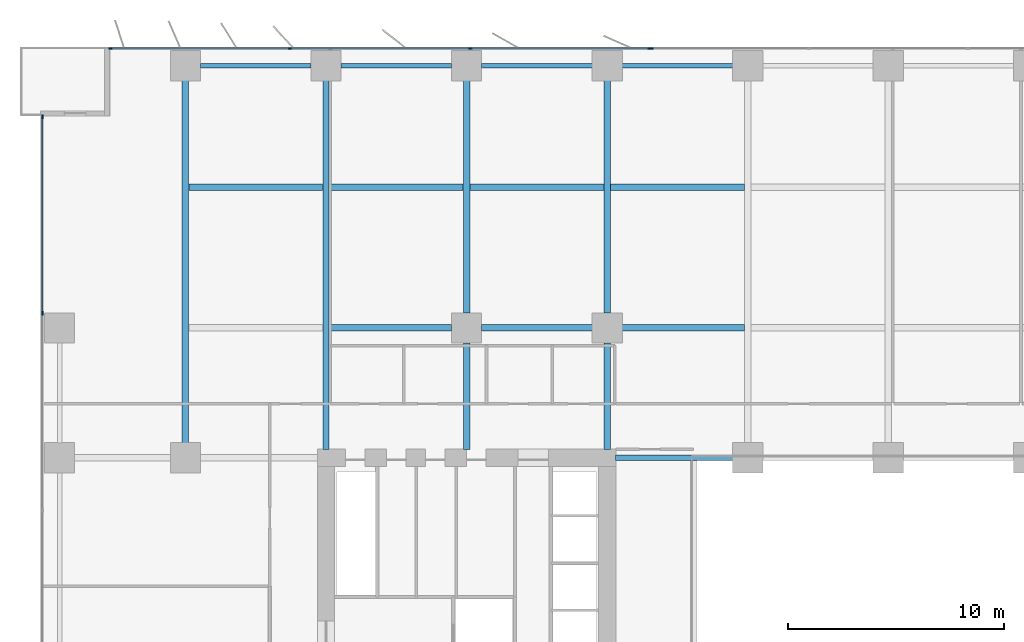
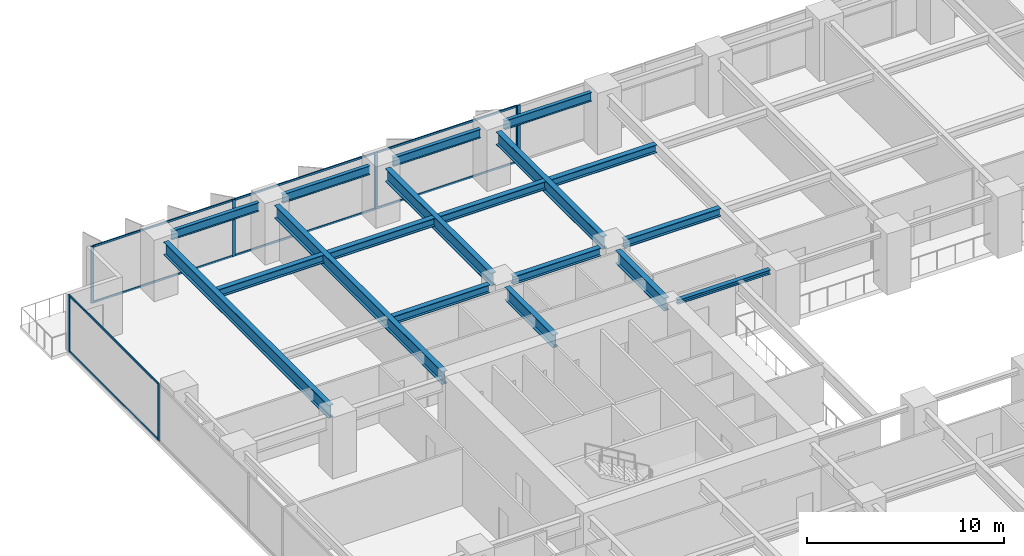
# One storey, part 7 of 20: 18 beams, 15 members, 3 elements without a shape of their own.
"""IFC4 building model written with IfcOpenShell, lengths in metres."""

from ifc_helpers import new_model, si_unit, direction, frame, origin, origin_2d, place, context, subcontext, project, spatial, rectangle, i_section, extrude, material, layer, layer_set, material_profile, profile_set, type_object, element, aggregate, save


model = new_model("IFC4")

# Units and contexts
model_context = context("Model", 3, precision=1e-05, world=origin(), true_north=direction((0.0, 1.0)))
body_context = subcontext(model_context, "Body", "Model", "MODEL_VIEW")
ifc_project = project(units=[si_unit("LENGTHUNIT", "METRE"), si_unit("AREAUNIT", "SQUARE_METRE"), si_unit("VOLUMEUNIT", "CUBIC_METRE"), si_unit("PLANEANGLEUNIT", "RADIAN"), si_unit("MASSUNIT", "GRAM", prefix="KILO")], contexts=[model_context])

# Site, building, storey
site_placement = place(None, origin())
site = spatial("IfcSite", under=ifc_project, at=site_placement, CompositionType="ELEMENT")
building_placement = place(site_placement, origin())
building = spatial("IfcBuilding", under=site, at=building_placement, Name="Putna Gate Headquarters", CompositionType="ELEMENT")
storey_placement = place(building_placement, frame((0.0, 0.0, 77.199951171875)))
storey = spatial("IfcBuildingStorey", under=building, at=storey_placement, Name="L18", CompositionType="ELEMENT", Elevation=77.199951171875)

# Beams
ifc_material_1 = material(Name="Steel S355J2", Category="steel")
ifc_material_profile_1 = material_profile(ifc_material_1, i_section(OverallWidth=0.260009765625, OverallDepth=0.260009765625, WebThickness=0.010009765625, FlangeThickness=0.017578125, at=origin_2d()), Name="Steel S355J2")
ifc_profile_set_1 = profile_set([ifc_material_profile_1], Name="Steel S355J2")
beam_type_1 = type_object("IfcBeamType", Name="BM-ATRIUM-HEB260", PredefinedType="BEAM", material=ifc_profile_set_1)
beam_1_placement = place(storey_placement, frame((26.385009765625, 33.0, 3.39013671875), z_axis=(1.0, 0.0, 0.0), x_axis=(0.0, 1.0, 0.0)))
element("IfcBeam", 1, at=beam_1_placement, inside=storey, type_object=beam_type_1, Name="L18 Atrium Edge Beam AN1", PredefinedType="BEAM", context=body_context, shape_type="SweptSolid", body=[
    extrude(i_section(OverallWidth=0.260009765625, OverallDepth=0.260009765625, WebThickness=0.010009765625, FlangeThickness=0.017578125, at=origin_2d()), origin(), (0.0, 0.0, 1.0), 5.427001953125),
])
ifc_material_profile_2 = material_profile(ifc_material_1, i_section(OverallWidth=0.300048828125, OverallDepth=0.800048828125, WebThickness=0.017578125, FlangeThickness=0.032958984375, at=origin_2d()), Name="Steel S355J2")
ifc_profile_set_2 = profile_set([ifc_material_profile_2], Name="Steel S355J2")
beam_type_2 = type_object("IfcBeamType", Name="BM-GIRD-P-HEB800", PredefinedType="USERDEFINED", material=ifc_profile_set_2)
beam_2_placement = place(storey_placement, frame((6.5, 33.68798828125, 3.1201171875), z_axis=(0.0, 1.0, 0.0), x_axis=(-1.0, 0.0, 0.0)))
element("IfcBeam", 2, at=beam_2_placement, inside=storey, type_object=beam_type_2, Name="L18 North Primary Girder X6", ObjectType="GIRDER", PredefinedType="USERDEFINED", context=body_context, shape_type="SweptSolid", body=[
    extrude(i_section(OverallWidth=0.300048828125, OverallDepth=0.800048828125, WebThickness=0.017578125, FlangeThickness=0.032958984375, at=origin_2d()), origin(), (0.0, 0.0, 1.0), 16.743896484375),
])
beam_3_placement = place(storey_placement, frame((13.0, 33.385009765625, 3.1201171875), z_axis=(0.0, 1.0, 0.0), x_axis=(-1.0, 0.0, 0.0)))
element("IfcBeam", 3, at=beam_3_placement, inside=storey, type_object=beam_type_2, Name="L18 North Primary Girder X13", ObjectType="GIRDER", PredefinedType="USERDEFINED", context=body_context, shape_type="SweptSolid", body=[
    extrude(i_section(OverallWidth=0.300048828125, OverallDepth=0.800048828125, WebThickness=0.017578125, FlangeThickness=0.032958984375, at=origin_2d()), origin(), (0.0, 0.0, 1.0), 17.046875),
])
beam_4_placement = place(storey_placement, frame((19.5, 33.385009765625, 3.1201171875), z_axis=(0.0, 1.0, 0.0), x_axis=(-1.0, 0.0, 0.0)))
element("IfcBeam", 4, at=beam_4_placement, inside=storey, type_object=beam_type_2, Name="L18 North Primary Girder X19-1", ObjectType="GIRDER", PredefinedType="USERDEFINED", context=body_context, shape_type="SweptSolid", body=[
    extrude(i_section(OverallWidth=0.300048828125, OverallDepth=0.800048828125, WebThickness=0.017578125, FlangeThickness=0.032958984375, at=origin_2d()), origin(), (0.0, 0.0, 1.0), 4.927001953125),
])
beam_5_placement = place(storey_placement, frame((19.5, 39.68798828125, 3.1201171875), z_axis=(0.0, 1.0, 0.0), x_axis=(-1.0, 0.0, 0.0)))
element("IfcBeam", 5, at=beam_5_placement, inside=storey, type_object=beam_type_2, Name="L18 North Primary Girder X19-2", ObjectType="GIRDER", PredefinedType="USERDEFINED", context=body_context, shape_type="SweptSolid", body=[
    extrude(i_section(OverallWidth=0.300048828125, OverallDepth=0.800048828125, WebThickness=0.017578125, FlangeThickness=0.032958984375, at=origin_2d()), origin(), (0.0, 0.0, 1.0), 10.743896484375),
])
beam_6_placement = place(storey_placement, frame((26.0, 33.385009765625, 3.1201171875), z_axis=(0.0, 1.0, 0.0), x_axis=(-1.0, 0.0, 0.0)))
element("IfcBeam", 6, at=beam_6_placement, inside=storey, type_object=beam_type_2, Name="L18 North Primary Girder X26-1", ObjectType="GIRDER", PredefinedType="USERDEFINED", context=body_context, shape_type="SweptSolid", body=[
    extrude(i_section(OverallWidth=0.300048828125, OverallDepth=0.800048828125, WebThickness=0.017578125, FlangeThickness=0.032958984375, at=origin_2d()), origin(), (0.0, 0.0, 1.0), 4.927001953125),
])
beam_7_placement = place(storey_placement, frame((26.0, 39.68798828125, 3.1201171875), z_axis=(0.0, 1.0, 0.0), x_axis=(-1.0, 0.0, 0.0)))
element("IfcBeam", 7, at=beam_7_placement, inside=storey, type_object=beam_type_2, Name="L18 North Primary Girder X26-2", ObjectType="GIRDER", PredefinedType="USERDEFINED", context=body_context, shape_type="SweptSolid", body=[
    extrude(i_section(OverallWidth=0.300048828125, OverallDepth=0.800048828125, WebThickness=0.017578125, FlangeThickness=0.032958984375, at=origin_2d()), origin(), (0.0, 0.0, 1.0), 10.743896484375),
])
ifc_material_profile_3 = material_profile(ifc_material_1, i_section(OverallWidth=0.300048828125, OverallDepth=0.5, WebThickness=0.014404296875, FlangeThickness=0.028076171875, at=origin_2d()), Name="Steel S355J2")
ifc_profile_set_3 = profile_set([ifc_material_profile_3], Name="Steel S355J2")
beam_type_3 = type_object("IfcBeamType", Name="BM-GIRD-Z4-HEB500", PredefinedType="USERDEFINED", material=ifc_profile_set_3)
beam_8_placement = place(storey_placement, frame((6.654052734375, 45.5, 3.27001953125), z_axis=(1.0, 0.0, 0.0), x_axis=(0.0, 1.0, 0.0)))
element("IfcBeam", 8, at=beam_8_placement, inside=storey, type_object=beam_type_3, Name="L18 North Secondary Beam 1", ObjectType="GIRDER", PredefinedType="USERDEFINED", context=body_context, shape_type="SweptSolid", body=[
    extrude(i_section(OverallWidth=0.300048828125, OverallDepth=0.5, WebThickness=0.014404296875, FlangeThickness=0.028076171875, at=origin_2d()), origin(), (0.0, 0.0, 1.0), 6.19189453125),
])
beam_9_placement = place(storey_placement, frame((13.154052734375, 39.0, 3.27001953125), z_axis=(1.0, 0.0, 0.0), x_axis=(0.0, 1.0, 0.0)))
element("IfcBeam", 9, at=beam_9_placement, inside=storey, type_object=beam_type_3, Name="L18 North Secondary Beam 2", ObjectType="GIRDER", PredefinedType="USERDEFINED", context=body_context, shape_type="SweptSolid", body=[
    extrude(i_section(OverallWidth=0.300048828125, OverallDepth=0.5, WebThickness=0.014404296875, FlangeThickness=0.028076171875, at=origin_2d()), origin(), (0.0, 0.0, 1.0), 5.657958984375),
])
beam_10_placement = place(storey_placement, frame((13.154052734375, 45.5, 3.27001953125), z_axis=(1.0, 0.0, 0.0), x_axis=(0.0, 1.0, 0.0)))
element("IfcBeam", 10, at=beam_10_placement, inside=storey, type_object=beam_type_3, Name="L18 North Secondary Beam 2", ObjectType="GIRDER", PredefinedType="USERDEFINED", context=body_context, shape_type="SweptSolid", body=[
    extrude(i_section(OverallWidth=0.300048828125, OverallDepth=0.5, WebThickness=0.014404296875, FlangeThickness=0.028076171875, at=origin_2d()), origin(), (0.0, 0.0, 1.0), 6.19189453125),
])
beam_11_placement = place(storey_placement, frame((20.18798828125, 39.0, 3.27001953125), z_axis=(1.0, 0.0, 0.0), x_axis=(0.0, 1.0, 0.0)))
element("IfcBeam", 11, at=beam_11_placement, inside=storey, type_object=beam_type_3, Name="L18 North Secondary Beam 3", ObjectType="GIRDER", PredefinedType="USERDEFINED", context=body_context, shape_type="SweptSolid", body=[
    extrude(i_section(OverallWidth=0.300048828125, OverallDepth=0.5, WebThickness=0.014404296875, FlangeThickness=0.028076171875, at=origin_2d()), origin(), (0.0, 0.0, 1.0), 5.1240234375),
])
beam_12_placement = place(storey_placement, frame((19.654052734375, 45.5, 3.27001953125), z_axis=(1.0, 0.0, 0.0), x_axis=(0.0, 1.0, 0.0)))
element("IfcBeam", 12, at=beam_12_placement, inside=storey, type_object=beam_type_3, Name="L18 North Secondary Beam 3", ObjectType="GIRDER", PredefinedType="USERDEFINED", context=body_context, shape_type="SweptSolid", body=[
    extrude(i_section(OverallWidth=0.300048828125, OverallDepth=0.5, WebThickness=0.014404296875, FlangeThickness=0.028076171875, at=origin_2d()), origin(), (0.0, 0.0, 1.0), 6.19189453125),
])
beam_13_placement = place(storey_placement, frame((26.68798828125, 39.0, 3.27001953125), z_axis=(1.0, 0.0, 0.0), x_axis=(0.0, 1.0, 0.0)))
element("IfcBeam", 13, at=beam_13_placement, inside=storey, type_object=beam_type_3, Name="L18 North Secondary Beam 4", ObjectType="GIRDER", PredefinedType="USERDEFINED", context=body_context, shape_type="SweptSolid", body=[
    extrude(i_section(OverallWidth=0.300048828125, OverallDepth=0.5, WebThickness=0.014404296875, FlangeThickness=0.028076171875, at=origin_2d()), origin(), (0.0, 0.0, 1.0), 5.657958984375),
])
beam_14_placement = place(storey_placement, frame((26.154052734375, 45.5, 3.27001953125), z_axis=(1.0, 0.0, 0.0), x_axis=(0.0, 1.0, 0.0)))
element("IfcBeam", 14, at=beam_14_placement, inside=storey, type_object=beam_type_3, Name="L18 North Secondary Beam 4", ObjectType="GIRDER", PredefinedType="USERDEFINED", context=body_context, shape_type="SweptSolid", body=[
    extrude(i_section(OverallWidth=0.300048828125, OverallDepth=0.5, WebThickness=0.014404296875, FlangeThickness=0.028076171875, at=origin_2d()), origin(), (0.0, 0.0, 1.0), 6.19189453125),
])
ifc_material_profile_4 = material_profile(ifc_material_1, i_section(OverallWidth=0.2099609375, OverallDepth=0.550048828125, WebThickness=0.010986328125, FlangeThickness=0.01708984375, at=origin_2d()), Name="Steel S355J2")
ifc_profile_set_4 = profile_set([ifc_material_profile_4], Name="Steel S355J2")
beam_type_4 = type_object("IfcBeamType", Name="BM-SPAN-Z1-IPE550", PredefinedType="SPANDREL", material=ifc_profile_set_4)
for number, where, z_axis, x_axis, name in (
    (15, (7.18798828125, 51.1201171875, 3.2451171875), (1.0, 0.0, 0.0), (0.0, 1.0, 0.0), "L18 N Perimeter Spandrel 1"),
    (16, (13.68798828125, 51.1201171875, 3.2451171875), (1.0, 0.0, 0.0), (0.0, 1.0, 0.0), "L18 N Perimeter Spandrel 2"),
    (17, (20.18798828125, 51.1201171875, 3.2451171875), (1.0, 0.0, 0.0), (0.0, 1.0, 0.0), "L18 N Perimeter Spandrel 3"),
    (18, (26.68798828125, 51.1201171875, 3.2451171875), (1.0, 0.0, 0.0), (0.0, 1.0, 0.0), "L18 N Perimeter Spandrel 4"),
):
    element("IfcBeam", number, at=place(storey_placement, frame(where, z_axis=z_axis, x_axis=x_axis)), inside=storey, type_object=beam_type_4, Name=name, PredefinedType="SPANDREL", context=body_context, shape_type="SweptSolid", body=[
        extrude(i_section(OverallWidth=0.2099609375, OverallDepth=0.550048828125, WebThickness=0.010986328125, FlangeThickness=0.01708984375, at=origin_2d()), origin(), (0.0, 0.0, 1.0), 5.1240234375),
    ])

# Curtain wall, members
ifc_material_2 = material(Name="Anodised bronze aluminium curtain wall", Category="aluminium")
ifc_layer_1 = layer(ifc_material_2, 0.179931640625)
ifc_layer_set_1 = layer_set([ifc_layer_1], Name="Anodised bronze aluminium curtain wall")
curtain_wall_type_1 = type_object("IfcCurtainWallType", Name="CW-SYS-Z1", PredefinedType="USERDEFINED", material=ifc_layer_set_1)
curtain_wall_1_placement = place(storey_placement, origin())
curtain_wall_1 = element("IfcCurtainWall", 19, at=curtain_wall_1_placement, inside=storey, type_object=curtain_wall_type_1, Name="L18 North West Curtain Wall", ObjectType="STICK CURTAIN WALL", PredefinedType="USERDEFINED")
ifc_material_3 = material(Name="Anodised bronze aluminium EN AW-6060", Category="aluminium")
ifc_material_profile_5 = material_profile(ifc_material_3, rectangle(XDim=0.070068359375, YDim=0.179931640625, at=origin_2d()), Name="Anodised bronze aluminium EN AW-6060")
ifc_profile_set_5 = profile_set([ifc_material_profile_5], Name="Anodised bronze aluminium EN AW-6060")
member_type_1 = type_object("IfcMemberType", Name="MULL-CWM-1", PredefinedType="MULLION", material=ifc_profile_set_5)
member_1_placement = place(storey_placement, frame((3.034912109375, 51.919921875, 0.0), z_axis=(0.0, 0.0, 1.0), x_axis=(0.0, 1.0, 0.0)))
member_1 = element("IfcMember", 20, at=member_1_placement, type_object=member_type_1, Name="CWS-1 mullion 1", PredefinedType="MULLION", context=body_context, shape_type="SweptSolid", body=[
    extrude(rectangle(XDim=0.070068359375, YDim=0.179931640625, at=origin_2d()), origin(), (0.0, 0.0, 1.0), 3.52001953125),
])
member_2_placement = place(storey_placement, frame((11.333251953125, 51.919921875, 0.0), z_axis=(0.0, 0.0, 1.0), x_axis=(0.0, 1.0, 0.0)))
member_2 = element("IfcMember", 21, at=member_2_placement, type_object=member_type_1, Name="CWS-1 mullion 2", PredefinedType="MULLION", context=body_context, shape_type="SweptSolid", body=[
    extrude(rectangle(XDim=0.070068359375, YDim=0.179931640625, at=origin_2d()), origin(), (0.0, 0.0, 1.0), 3.52001953125),
])
member_3_placement = place(storey_placement, frame((19.666748046875, 51.919921875, 0.0), z_axis=(0.0, 0.0, 1.0), x_axis=(0.0, 1.0, 0.0)))
member_3 = element("IfcMember", 22, at=member_3_placement, type_object=member_type_1, Name="CWS-1 mullion 3", PredefinedType="MULLION", context=body_context, shape_type="SweptSolid", body=[
    extrude(rectangle(XDim=0.070068359375, YDim=0.179931640625, at=origin_2d()), origin(), (0.0, 0.0, 1.0), 3.52001953125),
])
member_4_placement = place(storey_placement, frame((27.965087890625, 51.919921875, 0.0), z_axis=(0.0, 0.0, 1.0), x_axis=(0.0, 1.0, 0.0)))
member_4 = element("IfcMember", 23, at=member_4_placement, type_object=member_type_1, Name="CWS-1 mullion 4", PredefinedType="MULLION", context=body_context, shape_type="SweptSolid", body=[
    extrude(rectangle(XDim=0.070068359375, YDim=0.179931640625, at=origin_2d()), origin(), (0.0, 0.0, 1.0), 3.52001953125),
])

curtain_wall_2_placement = place(storey_placement, origin())
curtain_wall_2 = element("IfcCurtainWall", 24, at=curtain_wall_2_placement, inside=storey, type_object=curtain_wall_type_1, Name="L18 West Curtain Wall", ObjectType="STICK CURTAIN WALL", PredefinedType="USERDEFINED")
member_5_placement = place(storey_placement, frame((-0.1201171875, 39.679931640625, 0.0), z_axis=(0.0, 0.0, 1.0), x_axis=(-1.0, 0.0, 0.0)))
member_5 = element("IfcMember", 25, at=member_5_placement, type_object=member_type_1, Name="CWS-1 mullion 5", PredefinedType="MULLION", context=body_context, shape_type="SweptSolid", body=[
    extrude(rectangle(XDim=0.070068359375, YDim=0.179931640625, at=origin_2d()), origin(), (0.0, 0.0, 1.0), 3.52001953125),
])
member_6_placement = place(storey_placement, frame((-0.1201171875, 48.764892578125, 0.0), z_axis=(0.0, 0.0, 1.0), x_axis=(-1.0, 0.0, 0.0)))
member_6 = element("IfcMember", 26, at=member_6_placement, type_object=member_type_1, Name="CWS-1 mullion 6", PredefinedType="MULLION", context=body_context, shape_type="SweptSolid", body=[
    extrude(rectangle(XDim=0.070068359375, YDim=0.179931640625, at=origin_2d()), origin(), (0.0, 0.0, 1.0), 3.52001953125),
])

# Curtain wall, member
ifc_layer_2 = layer(ifc_material_2, 0.179931640625)
ifc_layer_set_2 = layer_set([ifc_layer_2], Name="Anodised bronze aluminium curtain wall")
curtain_wall_type_2 = type_object("IfcCurtainWallType", Name="CW-SYS-ATR", PredefinedType="USERDEFINED", material=ifc_layer_set_2)
curtain_wall_3_placement = place(storey_placement, origin())
curtain_wall_3 = element("IfcCurtainWall", 27, at=curtain_wall_3_placement, inside=storey, type_object=curtain_wall_type_2, Name="L18 North Atrium Clear Glazing", ObjectType="ATRIUM GLAZING", PredefinedType="USERDEFINED")
ifc_material_profile_6 = material_profile(ifc_material_3, rectangle(XDim=0.070068359375, YDim=0.179931640625, at=origin_2d()), Name="Anodised bronze aluminium EN AW-6060")
ifc_profile_set_6 = profile_set([ifc_material_profile_6], Name="Anodised bronze aluminium EN AW-6060")
member_type_2 = type_object("IfcMemberType", Name="MULL-CWM-AT", PredefinedType="MULLION", material=ifc_profile_set_6)
member_7_placement = place(storey_placement, frame((28.034912109375, 51.919921875, 0.0), z_axis=(0.0, 0.0, 1.0), x_axis=(0.0, 1.0, 0.0)))
member_7 = element("IfcMember", 28, at=member_7_placement, type_object=member_type_2, Name="CWS-AT mullion 1", PredefinedType="MULLION", context=body_context, shape_type="SweptSolid", body=[
    extrude(rectangle(XDim=0.070068359375, YDim=0.179931640625, at=origin_2d()), origin(), (0.0, 0.0, 1.0), 3.52001953125),
])
aggregate(curtain_wall_3, [member_7])

# Member
ifc_material_profile_7 = material_profile(ifc_material_3, rectangle(XDim=0.06494140625, YDim=0.1201171875, at=origin_2d()), Name="Anodised bronze aluminium EN AW-6060")
ifc_profile_set_7 = profile_set([ifc_material_profile_7], Name="Anodised bronze aluminium EN AW-6060")
member_type_3 = type_object("IfcMemberType", Name="TRAN-CWT-1", PredefinedType="USERDEFINED", material=ifc_profile_set_7)
member_8_placement = place(storey_placement, frame((3.070068359375, 51.919921875, 0.032470703125), z_axis=(1.0, 0.0, 0.0), x_axis=(0.0, 1.0, 0.0)))
member_8 = element("IfcMember", 29, at=member_8_placement, type_object=member_type_3, Name="CWS-1 transom 1.1", ObjectType="TRANSOM", PredefinedType="USERDEFINED", context=body_context, shape_type="SweptSolid", body=[
    extrude(rectangle(XDim=0.06494140625, YDim=0.1201171875, at=origin_2d()), origin(), (0.0, 0.0, 1.0), 8.228271484375),
])

member_9_placement = place(storey_placement, frame((3.070068359375, 51.919921875, 3.487548828125), z_axis=(1.0, 0.0, 0.0), x_axis=(0.0, 1.0, 0.0)))
member_9 = element("IfcMember", 30, at=member_9_placement, type_object=member_type_3, Name="CWS-1 transom 1.2", ObjectType="TRANSOM", PredefinedType="USERDEFINED", context=body_context, shape_type="SweptSolid", body=[
    extrude(rectangle(XDim=0.06494140625, YDim=0.1201171875, at=origin_2d()), origin(), (0.0, 0.0, 1.0), 8.228271484375),
])

member_10_placement = place(storey_placement, frame((11.368408203125, 51.919921875, 0.032470703125), z_axis=(1.0, 0.0, 0.0), x_axis=(0.0, 1.0, 0.0)))
member_10 = element("IfcMember", 31, at=member_10_placement, type_object=member_type_3, Name="CWS-1 transom 2.1", ObjectType="TRANSOM", PredefinedType="USERDEFINED", context=body_context, shape_type="SweptSolid", body=[
    extrude(rectangle(XDim=0.06494140625, YDim=0.1201171875, at=origin_2d()), origin(), (0.0, 0.0, 1.0), 8.26318359375),
])

member_11_placement = place(storey_placement, frame((11.368408203125, 51.919921875, 3.487548828125), z_axis=(1.0, 0.0, 0.0), x_axis=(0.0, 1.0, 0.0)))
member_11 = element("IfcMember", 32, at=member_11_placement, type_object=member_type_3, Name="CWS-1 transom 2.2", ObjectType="TRANSOM", PredefinedType="USERDEFINED", context=body_context, shape_type="SweptSolid", body=[
    extrude(rectangle(XDim=0.06494140625, YDim=0.1201171875, at=origin_2d()), origin(), (0.0, 0.0, 1.0), 8.26318359375),
])

member_12_placement = place(storey_placement, frame((19.70166015625, 51.919921875, 0.032470703125), z_axis=(1.0, 0.0, 0.0), x_axis=(0.0, 1.0, 0.0)))
member_12 = element("IfcMember", 33, at=member_12_placement, type_object=member_type_3, Name="CWS-1 transom 3.1", ObjectType="TRANSOM", PredefinedType="USERDEFINED", context=body_context, shape_type="SweptSolid", body=[
    extrude(rectangle(XDim=0.06494140625, YDim=0.1201171875, at=origin_2d()), origin(), (0.0, 0.0, 1.0), 8.228271484375),
])

member_13_placement = place(storey_placement, frame((19.70166015625, 51.919921875, 3.487548828125), z_axis=(1.0, 0.0, 0.0), x_axis=(0.0, 1.0, 0.0)))
member_13 = element("IfcMember", 34, at=member_13_placement, type_object=member_type_3, Name="CWS-1 transom 3.2", ObjectType="TRANSOM", PredefinedType="USERDEFINED", context=body_context, shape_type="SweptSolid", body=[
    extrude(rectangle(XDim=0.06494140625, YDim=0.1201171875, at=origin_2d()), origin(), (0.0, 0.0, 1.0), 8.228271484375),
])

aggregate(curtain_wall_1, [member_1, member_2, member_3, member_4, member_8, member_9, member_10, member_11, member_12, member_13])

member_14_placement = place(storey_placement, frame((-0.1201171875, 39.715087890625, 0.032470703125), z_axis=(0.0, 1.0, 0.0), x_axis=(-1.0, 0.0, 0.0)))
member_14 = element("IfcMember", 35, at=member_14_placement, type_object=member_type_3, Name="CWS-1 transom 5.1", ObjectType="TRANSOM", PredefinedType="USERDEFINED", context=body_context, shape_type="SweptSolid", body=[
    extrude(rectangle(XDim=0.06494140625, YDim=0.1201171875, at=origin_2d()), origin(), (0.0, 0.0, 1.0), 9.014892578125),
])

member_15_placement = place(storey_placement, frame((-0.1201171875, 39.715087890625, 3.487548828125), z_axis=(0.0, 1.0, 0.0), x_axis=(-1.0, 0.0, 0.0)))
member_15 = element("IfcMember", 36, at=member_15_placement, type_object=member_type_3, Name="CWS-1 transom 5.2", ObjectType="TRANSOM", PredefinedType="USERDEFINED", context=body_context, shape_type="SweptSolid", body=[
    extrude(rectangle(XDim=0.06494140625, YDim=0.1201171875, at=origin_2d()), origin(), (0.0, 0.0, 1.0), 9.014892578125),
])

aggregate(curtain_wall_2, [member_5, member_6, member_14, member_15])

save(model, "model.ifc")
